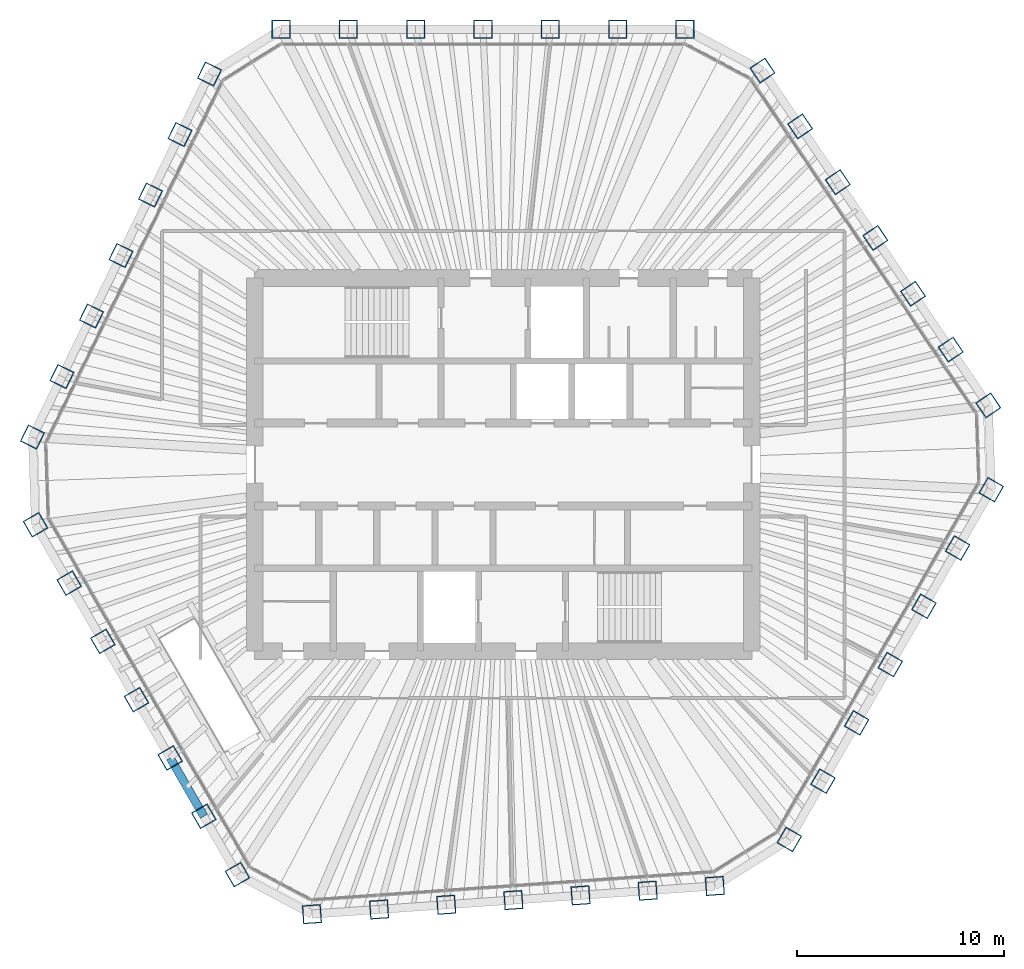
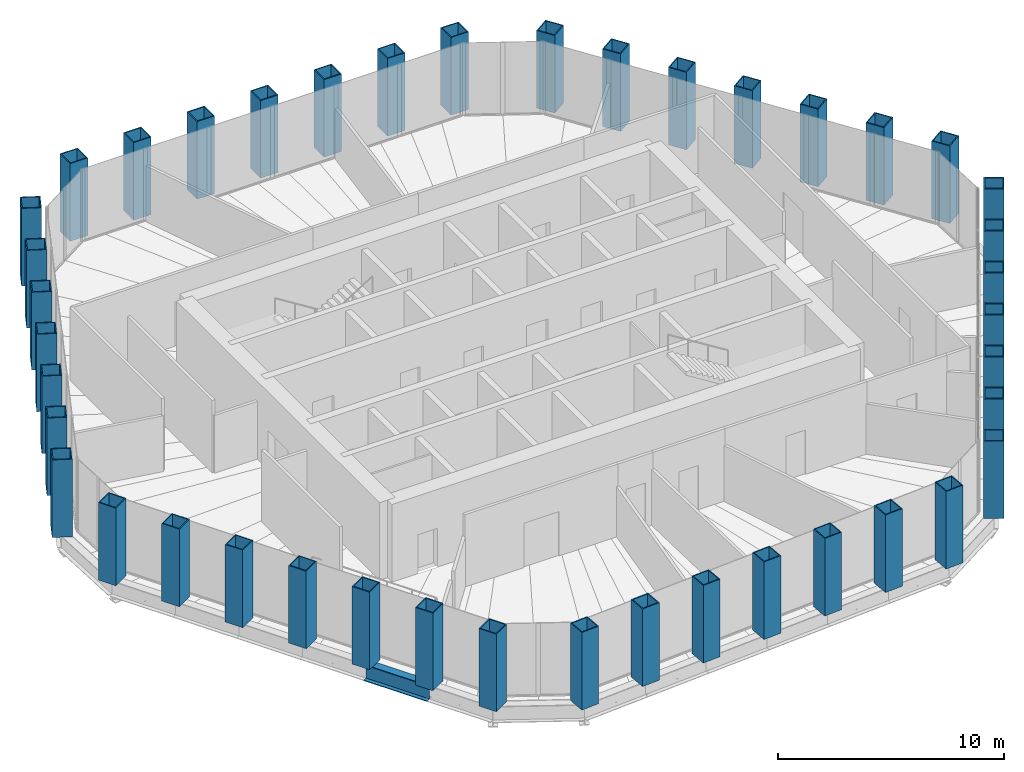
# One storey, part 1 of 14: 42 columns, 1 beam.
"""IFC4 building model written with IfcOpenShell, lengths in metres."""

from ifc_helpers import new_model, si_unit, direction, frame, origin, origin_2d, place, context, subcontext, project, spatial, hollow_rectangle, i_section, extrude, material, material_profile, profile_set, type_object, element, save


model = new_model("IFC4")

# Units and contexts
model_context = context("Model", 3, precision=1e-05, world=origin(), true_north=direction((0.0, 1.0)))
body_context = subcontext(model_context, "Body", "Model", "MODEL_VIEW")
ifc_project = project(units=[si_unit("LENGTHUNIT", "METRE"), si_unit("AREAUNIT", "SQUARE_METRE"), si_unit("VOLUMEUNIT", "CUBIC_METRE"), si_unit("PLANEANGLEUNIT", "RADIAN"), si_unit("MASSUNIT", "GRAM", prefix="KILO")], contexts=[model_context])

# Site, building, storey
site_placement = place(None, origin())
site = spatial("IfcSite", under=ifc_project, at=site_placement, CompositionType="ELEMENT")
building_placement = place(site_placement, origin())
building = spatial("IfcBuilding", under=site, at=building_placement, Name="Qingtian Harvest Tower", CompositionType="ELEMENT")
storey_placement = place(building_placement, frame((0.0, 0.0, 333.39990234375)))
storey = spatial("IfcBuildingStorey", under=building, at=storey_placement, Name="L74", CompositionType="ELEMENT", Elevation=333.39990234375)

# Columns
ifc_material_1 = material(Name="Steel SM570MC", Category="steel")
ifc_material_profile_1 = material_profile(ifc_material_1, hollow_rectangle(XDim=0.89990234375, YDim=0.89990234375, WallThickness=0.050048828125, at=origin_2d()), Name="BOX900x900x50")
ifc_profile_set_1 = profile_set([ifc_material_profile_1], Name="Steel SM570MC")
column_type = type_object("IfcColumnType", Name="Tube column TC8 BOX900x900x50", PredefinedType="COLUMN", material=ifc_profile_set_1)
for number, where, z_axis, x_axis, name in (
    (1, (-10.72216796875, 21.0, 0.0), (0.0, 0.0, 1.0), (-1.0, 0.0, 0.0), "Tube column TC8 N0"),
    (2, (-7.47412109375, 21.0, 0.0), (0.0, 0.0, 1.0), (-1.0, 0.0, 0.0), "Tube column TC8 N1"),
    (3, (-4.226318359375, 21.0, 0.0), (0.0, 0.0, 1.0), (-1.0, 0.0, 0.0), "Tube column TC8 N2"),
    (4, (-0.978271484375, 21.0, 0.0), (0.0, 0.0, 1.0), (-1.0, 0.0, 0.0), "Tube column TC8 N3"),
    (5, (2.269775390625, 21.0, 0.0), (0.0, 0.0, 1.0), (-1.0, 0.0, 0.0), "Tube column TC8 N4"),
    (6, (5.517822265625, 21.0, 0.0), (0.0, 0.0, 1.0), (-1.0, 0.0, 0.0), "Tube column TC8 N5"),
    (7, (8.765869140625, 21.0, 0.0), (0.0, 0.0, 1.0), (-1.0, 0.0, 0.0), "Tube column TC8 N6"),
    (8, (12.508056640625, 19.01025390625, 0.0), (0.0, 0.0, 1.0), (-0.559192903471, 0.829037572555, 0.0), "Tube column TC8 NE0"),
    (9, (14.32421875, 16.317626953125, 0.0), (0.0, 0.0, 1.0), (-0.559192903471, 0.829037572555, 0.0), "Tube column TC8 NE1"),
    (10, (16.140625, 13.624755859375, 0.0), (0.0, 0.0, 1.0), (-0.559192903471, 0.829037572555, 0.0), "Tube column TC8 NE2"),
    (11, (17.956787109375, 10.93212890625, 0.0), (0.0, 0.0, 1.0), (-0.559192903471, 0.829037572555, 0.0), "Tube column TC8 NE3"),
    (12, (19.77294921875, 8.2392578125, 0.0), (0.0, 0.0, 1.0), (-0.559192903471, 0.829037572555, 0.0), "Tube column TC8 NE4"),
    (13, (21.58935546875, 5.546630859375, 0.0), (0.0, 0.0, 1.0), (-0.559192903471, 0.829037572555, 0.0), "Tube column TC8 NE5"),
    (14, (23.405517578125, 2.85400390625, 0.0), (0.0, 0.0, 1.0), (-0.559192903471, 0.829037572555, 0.0), "Tube column TC8 NE6"),
    (15, (23.547607421875, -1.21435546875, 0.0), (0.0, 0.0, 1.0), (0.5, 0.866025403784, 0.0), "Tube column TC8 SE0"),
    (16, (21.923583984375, -4.027099609375, 0.0), (0.0, 0.0, 1.0), (0.5, 0.866025403784, 0.0), "Tube column TC8 SE1"),
    (17, (20.299560546875, -6.840087890625, 0.0), (0.0, 0.0, 1.0), (0.5, 0.866025403784, 0.0), "Tube column TC8 SE2"),
    (18, (18.675537109375, -9.65283203125, 0.0), (0.0, 0.0, 1.0), (0.5, 0.866025403784, 0.0), "Tube column TC8 SE3"),
    (19, (17.051513671875, -12.4658203125, 0.0), (0.0, 0.0, 1.0), (0.5, 0.866025403784, 0.0), "Tube column TC8 SE4"),
    (20, (15.427490234375, -15.278564453125, 0.0), (0.0, 0.0, 1.0), (0.5, 0.866025403784, 0.0), "Tube column TC8 SE5"),
    (21, (13.803466796875, -18.091552734375, 0.0), (0.0, 0.0, 1.0), (0.5, 0.866025403784, 0.0), "Tube column TC8 SE6"),
    (22, (10.20947265625, -20.33740234375, 0.0), (0.0, 0.0, 1.0), (0.99756405026, 0.069756473744, 0.0), "Tube column TC8 S0"),
    (23, (6.96923828125, -20.56396484375, 0.0), (0.0, 0.0, 1.0), (0.99756405026, 0.069756473744, 0.0), "Tube column TC8 S1"),
    (24, (3.729248046875, -20.79052734375, 0.0), (0.0, 0.0, 1.0), (0.99756405026, 0.069756473744, 0.0), "Tube column TC8 S2"),
    (25, (0.489013671875, -21.01708984375, 0.0), (0.0, 0.0, 1.0), (0.99756405026, 0.069756473744, 0.0), "Tube column TC8 S3"),
    (26, (-2.7509765625, -21.24365234375, 0.0), (0.0, 0.0, 1.0), (0.99756405026, 0.069756473744, 0.0), "Tube column TC8 S4"),
    (27, (-5.9912109375, -21.47021484375, 0.0), (0.0, 0.0, 1.0), (0.99756405026, 0.069756473744, 0.0), "Tube column TC8 S5"),
    (28, (-9.231201171875, -21.69677734375, 0.0), (0.0, 0.0, 1.0), (0.99756405026, 0.069756473744, 0.0), "Tube column TC8 S6"),
    (29, (-12.825439453125, -19.78564453125, 0.0), (0.0, 0.0, 1.0), (0.5, -0.866025403784, 0.0), "Tube column TC8 SW0"),
    (30, (-14.449462890625, -16.972900390625, 0.0), (0.0, 0.0, 1.0), (0.5, -0.866025403784, 0.0), "Tube column TC8 SW1"),
    (31, (-16.073486328125, -14.159912109375, 0.0), (0.0, 0.0, 1.0), (0.5, -0.866025403784, 0.0), "Tube column TC8 SW2"),
    (32, (-17.697509765625, -11.34716796875, 0.0), (0.0, 0.0, 1.0), (0.5, -0.866025403784, 0.0), "Tube column TC8 SW3"),
    (33, (-19.321533203125, -8.5341796875, 0.0), (0.0, 0.0, 1.0), (0.5, -0.866025403784, 0.0), "Tube column TC8 SW4"),
    (34, (-20.945556640625, -5.721435546875, 0.0), (0.0, 0.0, 1.0), (0.5, -0.866025403784, 0.0), "Tube column TC8 SW5"),
    (35, (-22.569580078125, -2.908447265625, 0.0), (0.0, 0.0, 1.0), (0.5, -0.866025403784, 0.0), "Tube column TC8 SW6"),
    (36, (-22.71728515625, 1.3271484375, 0.0), (0.0, 0.0, 1.0), (-0.438371146789, -0.898794046299, 0.0), "Tube column TC8 NW0"),
    (37, (-21.29345703125, 4.246337890625, 0.0), (0.0, 0.0, 1.0), (-0.438371146789, -0.898794046299, 0.0), "Tube column TC8 NW1"),
    (38, (-19.86962890625, 7.165771484375, 0.0), (0.0, 0.0, 1.0), (-0.438371146789, -0.898794046299, 0.0), "Tube column TC8 NW2"),
    (39, (-18.44580078125, 10.0849609375, 0.0), (0.0, 0.0, 1.0), (-0.438371146789, -0.898794046299, 0.0), "Tube column TC8 NW3"),
    (40, (-17.02197265625, 13.00439453125, 0.0), (0.0, 0.0, 1.0), (-0.438371146789, -0.898794046299, 0.0), "Tube column TC8 NW4"),
    (41, (-15.59814453125, 15.923583984375, 0.0), (0.0, 0.0, 1.0), (-0.438371146789, -0.898794046299, 0.0), "Tube column TC8 NW5"),
    (42, (-14.17431640625, 18.8427734375, 0.0), (0.0, 0.0, 1.0), (-0.438371146789, -0.898794046299, 0.0), "Tube column TC8 NW6"),
):
    element("IfcColumn", number, at=place(storey_placement, frame(where, z_axis=z_axis, x_axis=x_axis)), inside=storey, type_object=column_type, Name=name, PredefinedType="COLUMN", context=body_context, shape_type="SweptSolid", body=[
        extrude(hollow_rectangle(XDim=0.89990234375, YDim=0.89990234375, WallThickness=0.050048828125, at=origin_2d()), origin(), (0.0, 0.0, 1.0), 4.2001953125),
    ])

# Beam
ifc_material_2 = material(Name="Steel SN490B", Category="steel")
ifc_material_profile_2 = material_profile(ifc_material_2, i_section(OverallWidth=0.39990234375, OverallDepth=0.89990234375, WebThickness=0.01904296875, FlangeThickness=0.035888671875, at=origin_2d()), Name="H900x400x19x36")
ifc_profile_set_2 = profile_set([ifc_material_profile_2], Name="Steel SN490B")
beam_type = type_object("IfcBeamType", Name="Spandrel beam SB4 H900x400x19x36", PredefinedType="SPANDREL", material=ifc_profile_set_2)
beam_placement = place(storey_placement, frame((-14.449462890625, -16.972900390625, -0.449951171875), z_axis=(-0.499987045439, 0.866032882975, 0.0), x_axis=(-0.866032882975, -0.499987045439, 0.0)))
element("IfcBeam", 43, at=beam_placement, inside=storey, type_object=beam_type, Name="Spandrel SB4 SW1", PredefinedType="SPANDREL", context=body_context, shape_type="SweptSolid", body=[
    extrude(i_section(OverallWidth=0.39990234375, OverallDepth=0.89990234375, WebThickness=0.01904296875, FlangeThickness=0.035888671875, at=origin_2d()), origin(), (0.0, 0.0, 1.0), 3.248046875),
])

save(model, "model.ifc")
